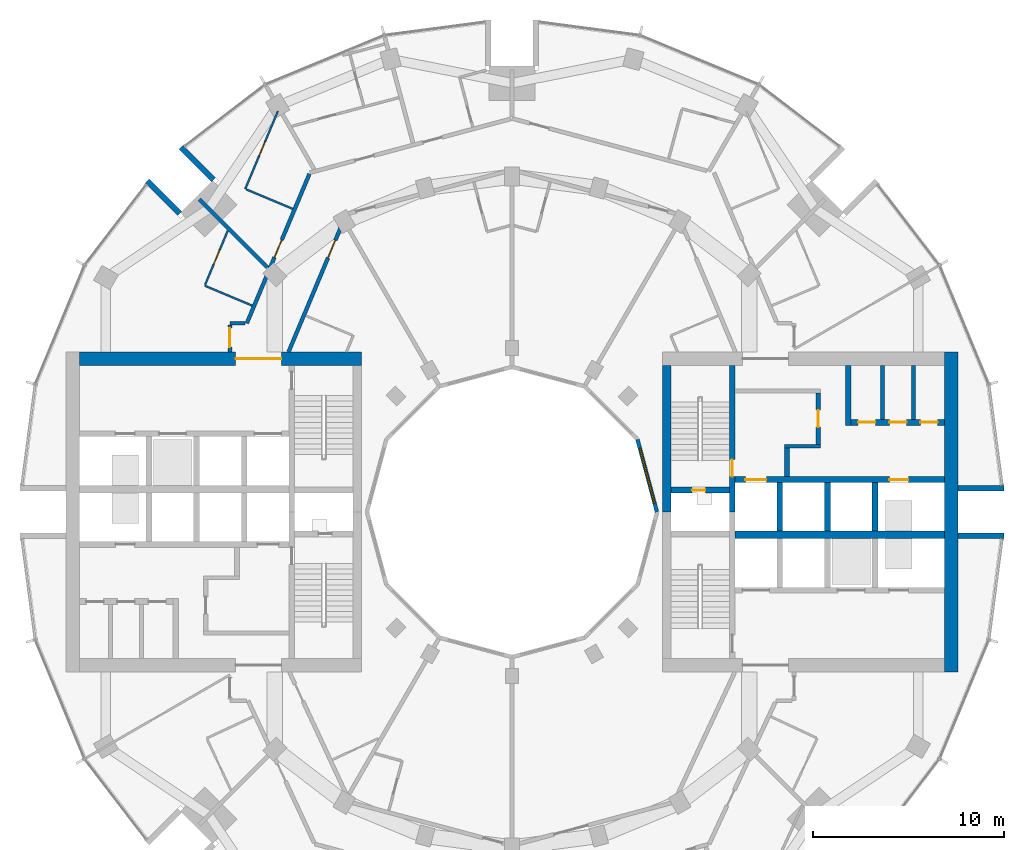
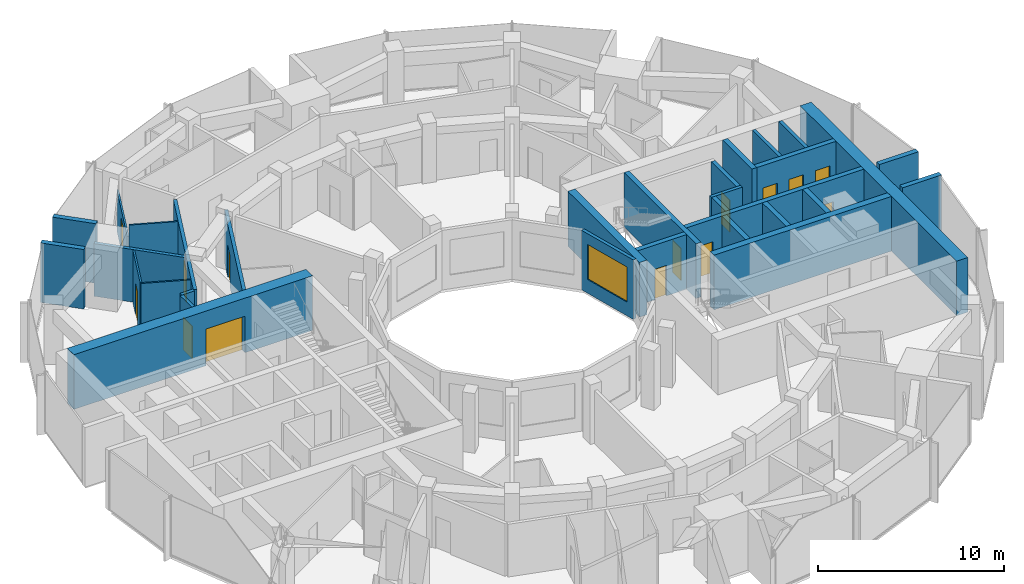
# One storey, part 11 of 15: 31 walls, 14 doors, 1 window, 15 openings.
"""IFC4 building model written with IfcOpenShell, lengths in metres."""

from ifc_helpers import new_model, si_unit, direction, frame, frame_2d, origin, place, context, subcontext, project, spatial, rectangle, extrude, material, layer, layer_set, type_object, element, fill, save


model = new_model("IFC4")

# Units and contexts
model_context = context("Model", 3, precision=1e-05, world=origin(), true_north=direction((0.0, 1.0)))
body_context = subcontext(model_context, "Body", "Model", "MODEL_VIEW")
ifc_project = project(units=[si_unit("LENGTHUNIT", "METRE"), si_unit("AREAUNIT", "SQUARE_METRE"), si_unit("VOLUMEUNIT", "CUBIC_METRE"), si_unit("PLANEANGLEUNIT", "RADIAN"), si_unit("MASSUNIT", "GRAM", prefix="KILO")], contexts=[model_context])

# Site, building, storey
site_placement = place(None, origin())
site = spatial("IfcSite", under=ifc_project, at=site_placement, CompositionType="ELEMENT")
building_placement = place(site_placement, origin())
building = spatial("IfcBuilding", under=site, at=building_placement, Name="Torre Brocal", CompositionType="ELEMENT")
storey_placement = place(building_placement, frame((0.0, 0.0, 130.199951171875)))
storey = spatial("IfcBuildingStorey", under=building, at=storey_placement, Name="L30", CompositionType="ELEMENT", Elevation=130.199951171875)

# Walls
ifc_material_1 = material(Name="Masonry block", Category="masonry")
ifc_layer_1 = layer(ifc_material_1, 0.199951171875)
ifc_layer_set_1 = layer_set([ifc_layer_1], Name="Masonry block")
wall_type_1 = type_object("IfcWallType", Name="CORE PARTITION 200", PredefinedType="PARTITIONING", material=ifc_layer_set_1)
for number, where, z_axis, x_axis, name in (
    (1, (99.433349609375, 79.85009765625, 0.0), (0.0, 0.0, 1.0), (0.0, 1.0, 0.0), "Wall CP200"),
    (2, (101.066650390625, 79.85009765625, 0.0), (0.0, 0.0, 1.0), (0.0, 1.0, 0.0), "Wall CP200"),
):
    element("IfcWall", number, at=place(storey_placement, frame(where, z_axis=z_axis, x_axis=x_axis)), inside=storey, type_object=wall_type_1, Name=name, PredefinedType="PARTITIONING", context=body_context, shape_type="SweptSolid", body=[
        extrude(rectangle(XDim=2.849853515625, YDim=0.199951171875, at=frame_2d((1.4248046875, 0.0))), origin(), (0.0, 0.0, 1.0), 3.580078125),
    ])
ifc_material_2 = material(Name="Concrete C70", Category="concrete")
ifc_layer_2 = layer(ifc_material_2, 0.199951171875)
ifc_layer_set_2 = layer_set([ifc_layer_2], Name="Concrete C70")
wall_type_2 = type_object("IfcWallType", Name="CORE WALL 200 C70", PredefinedType="SHEAR", material=ifc_layer_set_2)
wall_1_placement = place(storey_placement, frame((94.300048828125, 78.449951171875, 0.0), z_axis=(0.0, 0.0, 1.0), x_axis=(1.0, 0.0, 0.0)))
element("IfcWall", 3, at=wall_1_placement, inside=storey, type_object=wall_type_2, Name="Wall CW200-70", PredefinedType="SHEAR", context=body_context, shape_type="SweptSolid", body=[
    extrude(rectangle(XDim=1.89990234375, YDim=0.199951171875, at=frame_2d((0.949951171875, 0.0))), origin(), (0.0, 0.0, 1.0), 3.580078125),
])

# Wall, opening, door
ifc_material_3 = material(Name="Concrete C70", Category="concrete")
ifc_layer_3 = layer(ifc_material_3, 0.25)
ifc_layer_set_3 = layer_set([ifc_layer_3], Name="Concrete C70")
wall_type_3 = type_object("IfcWallType", Name="CORE WALL 250 C70", PredefinedType="SHEAR", material=ifc_layer_set_3)
wall_2_placement = place(storey_placement, frame((96.074951171875, 78.550048828125, 0.0), z_axis=(0.0, 0.0, 1.0), x_axis=(0.0, 1.0, 0.0)))
wall_2 = element("IfcWall", 4, at=wall_2_placement, inside=storey, type_object=wall_type_3, Name="Wall CW250-70", PredefinedType="SHEAR", context=body_context, shape_type="SweptSolid", body=[
    extrude(rectangle(XDim=2.699951171875, YDim=0.25, at=frame_2d((1.35009765625, 0.0))), origin(), (0.0, 0.0, 1.0), 3.580078125),
])
opening_1_placement = place(wall_2_placement, frame((0.89990234375, 0.0, 0.0)))
opening_1 = element("IfcOpeningElement", 5, at=opening_1_placement, cuts=wall_2, Name="Opening E-D15", PredefinedType="OPENING", context=body_context, shape_type="SweptSolid", body=[
    extrude(rectangle(XDim=0.89990234375, YDim=2.10009765625, at=frame_2d((0.449951171875, 1.050048828125))), frame((0.0, 0.135009765625, 0.0), z_axis=(0.0, -1.0, 0.0), x_axis=(1.0, 0.0, 0.0)), (0.0, 0.0, 1.0), 0.27001953125),
])
ifc_material_4 = material(Name="Steel A653", Category="steel")
door_type_1 = type_object("IfcDoorType", Name="LOBBY DOOR FD120 900X2100", OperationType="SINGLE_SWING_RIGHT", PredefinedType="DOOR", material=ifc_material_4)
door_1_placement = place(opening_1_placement, origin())
door_1 = element("IfcDoor", 6, at=door_1_placement, inside=storey, type_object=door_type_1, Name="Door E-D15", OperationType="SINGLE_SWING_LEFT", OverallHeight=2.10009765625, OverallWidth=0.89990234375, PredefinedType="DOOR", context=body_context, shape_type="SweptSolid", body=[
    extrude(rectangle(XDim=0.89990234375, YDim=2.10009765625, at=frame_2d((0.449951171875, 1.050048828125))), frame((0.0, 0.02490234375, 0.0), z_axis=(0.0, -1.0, 0.0), x_axis=(1.0, 0.0, 0.0)), (0.0, 0.0, 1.0), 0.050048828125),
])
fill(opening_1, door_1)

# Wall
wall_3_placement = place(storey_placement, frame((94.425048828125, 76.85009765625, 0.0), z_axis=(0.0, 0.0, 1.0), x_axis=(0.0, 1.0, 0.0)))
element("IfcWall", 7, at=wall_3_placement, inside=storey, type_object=wall_type_3, Name="Wall CW250-70", PredefinedType="SHEAR", context=body_context, shape_type="SweptSolid", body=[
    extrude(rectangle(XDim=1.5, YDim=0.25, at=frame_2d((0.75, 0.0))), origin(), (0.0, 0.0, 1.0), 3.580078125),
])

# Wall, opening, door
ifc_material_5 = material(Name="Concrete C70", Category="concrete")
ifc_layer_4 = layer(ifc_material_5, 0.300048828125)
ifc_layer_set_4 = layer_set([ifc_layer_4], Name="Concrete C70")
wall_type_4 = type_object("IfcWallType", Name="CORE WALL 300 C70", PredefinedType="SHEAR", material=ifc_layer_set_4)
wall_4_placement = place(storey_placement, frame((91.550048828125, 75.0, 0.0), z_axis=(0.0, 0.0, 1.0), x_axis=(0.0, 1.0, 0.0)))
wall_4 = element("IfcWall", 8, at=wall_4_placement, inside=storey, type_object=wall_type_4, Name="Wall CW300-70", PredefinedType="SHEAR", context=body_context, shape_type="SweptSolid", body=[
    extrude(rectangle(XDim=7.699951171875, YDim=0.300048828125, at=frame_2d((3.85009765625, 0.0))), origin(), (0.0, 0.0, 1.0), 3.580078125),
])
opening_2_placement = place(wall_4_placement, frame((1.85009765625, 0.0, 0.0)))
opening_2 = element("IfcOpeningElement", 9, at=opening_2_placement, cuts=wall_4, Name="Opening E-D02", PredefinedType="OPENING", context=body_context, shape_type="SweptSolid", body=[
    extrude(rectangle(XDim=0.89990234375, YDim=2.10009765625, at=frame_2d((0.449951171875, 1.050048828125))), frame((0.0, 0.159912109375, 0.0), z_axis=(0.0, -1.0, 0.0), x_axis=(1.0, 0.0, 0.0)), (0.0, 0.0, 1.0), 0.320068359375),
])
ifc_material_6 = material(Name="Steel A653", Category="steel")
door_type_2 = type_object("IfcDoorType", Name="STAIR DOOR FD120 900X2100", OperationType="SINGLE_SWING_RIGHT", PredefinedType="DOOR", material=ifc_material_6)
door_2_placement = place(opening_2_placement, origin())
door_2 = element("IfcDoor", 10, at=door_2_placement, inside=storey, type_object=door_type_2, Name="Door E-D02", OperationType="SINGLE_SWING_LEFT", OverallHeight=2.10009765625, OverallWidth=0.89990234375, PredefinedType="DOOR", context=body_context, shape_type="SweptSolid", body=[
    extrude(rectangle(XDim=0.89990234375, YDim=2.10009765625, at=frame_2d((0.449951171875, 1.050048828125))), frame((0.0, 0.02490234375, 0.0), z_axis=(0.0, -1.0, 0.0), x_axis=(1.0, 0.0, 0.0)), (0.0, 0.0, 1.0), 0.050048828125),
])
fill(opening_2, door_2)

wall_5_placement = place(storey_placement, frame((88.35009765625, 76.14990234375, 0.0), z_axis=(0.0, 0.0, 1.0), x_axis=(1.0, 0.0, 0.0)))
wall_5 = element("IfcWall", 11, at=wall_5_placement, inside=storey, type_object=wall_type_4, Name="Wall CW300-70", PredefinedType="SHEAR", context=body_context, shape_type="SweptSolid", body=[
    extrude(rectangle(XDim=3.0498046875, YDim=0.300048828125, at=frame_2d((1.52490234375, 0.0))), origin(), (0.0, 0.0, 1.0), 3.580078125),
])
opening_3_placement = place(wall_5_placement, frame((1.10009765625, 0.0, 0.0)))
opening_3 = element("IfcOpeningElement", 12, at=opening_3_placement, cuts=wall_5, Name="Opening E-D01", PredefinedType="OPENING", context=body_context, shape_type="SweptSolid", body=[
    extrude(rectangle(XDim=0.699951171875, YDim=2.0, at=frame_2d((0.35009765625, 1.0))), frame((0.0, 0.159912109375, 0.0), z_axis=(0.0, -1.0, 0.0), x_axis=(1.0, 0.0, 0.0)), (0.0, 0.0, 1.0), 0.320068359375),
])
ifc_material_7 = material(Name="Steel A653", Category="steel")
door_type_3 = type_object("IfcDoorType", Name="RISER DOOR FD120 700X2000", OperationType="SINGLE_SWING_LEFT", PredefinedType="DOOR", material=ifc_material_7)
door_3_placement = place(opening_3_placement, frame((0.699951171875, 0.0, 0.0), z_axis=(0.0, 0.0, 1.0), x_axis=(-1.0, 0.0, 0.0)))
door_3 = element("IfcDoor", 13, at=door_3_placement, inside=storey, type_object=door_type_3, Name="Door E-D01", OperationType="SINGLE_SWING_RIGHT", OverallHeight=2.0, OverallWidth=0.699951171875, PredefinedType="DOOR", context=body_context, shape_type="SweptSolid", body=[
    extrude(rectangle(XDim=0.699951171875, YDim=2.0, at=frame_2d((0.35009765625, 1.0))), frame((0.0, 0.02490234375, 0.0), z_axis=(0.0, -1.0, 0.0), x_axis=(1.0, 0.0, 0.0)), (0.0, 0.0, 1.0), 0.050048828125),
])
fill(opening_3, door_3)

# Wall, openings, doors
wall_6_placement = place(storey_placement, frame((91.699951171875, 76.699951171875, 0.0), z_axis=(0.0, 0.0, 1.0), x_axis=(1.0, 0.0, 0.0)))
wall_6 = element("IfcWall", 14, at=wall_6_placement, inside=storey, type_object=wall_type_4, Name="Wall CW300-70", PredefinedType="SHEAR", context=body_context, shape_type="SweptSolid", body=[
    extrude(rectangle(XDim=11.0, YDim=0.300048828125, at=frame_2d((5.5, 0.0))), origin(), (0.0, 0.0, 1.0), 3.580078125),
])
opening_4_placement = place(wall_6_placement, frame((0.550048828125, 0.0, 0.0)))
opening_4 = element("IfcOpeningElement", 15, at=opening_4_placement, cuts=wall_6, Name="Opening LD", PredefinedType="OPENING", context=body_context, shape_type="SweptSolid", body=[
    extrude(rectangle(XDim=1.10009765625, YDim=2.10009765625, at=frame_2d((0.550048828125, 1.050048828125))), frame((0.0, 0.159912109375, 0.0), z_axis=(0.0, -1.0, 0.0), x_axis=(1.0, 0.0, 0.0)), (0.0, 0.0, 1.0), 0.320068359375),
])
opening_5_placement = place(wall_6_placement, frame((8.10009765625, 0.0, 0.0)))
opening_5 = element("IfcOpeningElement", 16, at=opening_5_placement, cuts=wall_6, Name="Opening LD10", PredefinedType="OPENING", context=body_context, shape_type="SweptSolid", body=[
    extrude(rectangle(XDim=1.0, YDim=2.10009765625, at=frame_2d((0.5, 1.050048828125))), frame((0.0, 0.159912109375, 0.0), z_axis=(0.0, -1.0, 0.0), x_axis=(1.0, 0.0, 0.0)), (0.0, 0.0, 1.0), 0.320068359375),
])
ifc_material_8 = material(Name="Stainless steel AISI 316", Category="steel")
door_type_4 = type_object("IfcDoorType", Name="LIFT LANDING DOOR 1000X2100", OperationType="DOUBLE_DOOR_SLIDING", PredefinedType="DOOR", material=ifc_material_8)
door_4_placement = place(opening_5_placement, origin())
door_4 = element("IfcDoor", 17, at=door_4_placement, inside=storey, type_object=door_type_4, Name="Door LD10", OperationType="DOUBLE_DOOR_SLIDING", OverallHeight=2.10009765625, OverallWidth=1.0, PredefinedType="DOOR", context=body_context, shape_type="SweptSolid", body=[
    extrude(rectangle(XDim=1.0, YDim=2.10009765625, at=frame_2d((0.5, 1.050048828125))), frame((0.0, 0.02490234375, 0.0), z_axis=(0.0, -1.0, 0.0), x_axis=(1.0, 0.0, 0.0)), (0.0, 0.0, 1.0), 0.050048828125),
])
fill(opening_5, door_4)
ifc_material_9 = material(Name="Stainless steel AISI 316", Category="steel")
door_type_5 = type_object("IfcDoorType", Name="LIFT LANDING DOOR 1100X2100", OperationType="DOUBLE_DOOR_SLIDING", PredefinedType="DOOR", material=ifc_material_9)
door_5_placement = place(opening_4_placement, origin())
door_5 = element("IfcDoor", 18, at=door_5_placement, inside=storey, type_object=door_type_5, Name="Door LD", OperationType="DOUBLE_DOOR_SLIDING", OverallHeight=2.10009765625, OverallWidth=1.10009765625, PredefinedType="DOOR", context=body_context, shape_type="SweptSolid", body=[
    extrude(rectangle(XDim=1.10009765625, YDim=2.10009765625, at=frame_2d((0.550048828125, 1.050048828125))), frame((0.0, 0.02490234375, 0.0), z_axis=(0.0, -1.0, 0.0), x_axis=(1.0, 0.0, 0.0)), (0.0, 0.0, 1.0), 0.050048828125),
])
fill(opening_4, door_5)

# Walls
for number, where, z_axis, x_axis, name in (
    (19, (94.050048828125, 74.0, 0.0), (0.0, 0.0, 1.0), (0.0, 1.0, 0.0), "Wall CW300-70"),
    (20, (96.550048828125, 74.0, 0.0), (0.0, 0.0, 1.0), (0.0, 1.0, 0.0), "Wall CW300-70"),
    (21, (99.050048828125, 74.0, 0.0), (0.0, 0.0, 1.0), (0.0, 1.0, 0.0), "Wall CW300-70"),
):
    element("IfcWall", number, at=place(storey_placement, frame(where, z_axis=z_axis, x_axis=x_axis)), inside=storey, type_object=wall_type_4, Name=name, PredefinedType="SHEAR", context=body_context, shape_type="SweptSolid", body=[
        extrude(rectangle(XDim=2.550048828125, YDim=0.300048828125, at=frame_2d((1.27490234375, 0.0))), origin(), (0.0, 0.0, 1.0), 3.580078125),
    ])
wall_7_placement = place(storey_placement, frame((97.64990234375, 79.550048828125, 0.0), z_axis=(0.0, 0.0, 1.0), x_axis=(0.0, 1.0, 0.0)))
element("IfcWall", 22, at=wall_7_placement, inside=storey, type_object=wall_type_4, Name="Wall CW300-70", PredefinedType="SHEAR", context=body_context, shape_type="SweptSolid", body=[
    extrude(rectangle(XDim=3.14990234375, YDim=0.300048828125, at=frame_2d((1.574951171875, 0.0))), origin(), (0.0, 0.0, 1.0), 3.580078125),
])

# Wall, openings, doors
wall_8_placement = place(storey_placement, frame((97.800048828125, 79.699951171875, 0.0), z_axis=(0.0, 0.0, 1.0), x_axis=(1.0, 0.0, 0.0)))
wall_8 = element("IfcWall", 23, at=wall_8_placement, inside=storey, type_object=wall_type_4, Name="Wall CW300-70", PredefinedType="SHEAR", context=body_context, shape_type="SweptSolid", body=[
    extrude(rectangle(XDim=4.89990234375, YDim=0.300048828125, at=frame_2d((2.449951171875, 0.0))), origin(), (0.0, 0.0, 1.0), 3.580078125),
])
opening_6_placement = place(wall_8_placement, frame((0.36669921875, 0.0, 0.0)))
opening_6 = element("IfcOpeningElement", 24, at=opening_6_placement, cuts=wall_8, Name="Opening E-D05", PredefinedType="OPENING", context=body_context, shape_type="SweptSolid", body=[
    extrude(rectangle(XDim=0.89990234375, YDim=2.10009765625, at=frame_2d((0.449951171875, 1.050048828125))), frame((0.0, 0.159912109375, 0.0), z_axis=(0.0, -1.0, 0.0), x_axis=(1.0, 0.0, 0.0)), (0.0, 0.0, 1.0), 0.320068359375),
])
opening_7_placement = place(wall_8_placement, frame((2.0, 0.0, 0.0)))
opening_7 = element("IfcOpeningElement", 25, at=opening_7_placement, cuts=wall_8, Name="Opening E-D06", PredefinedType="OPENING", context=body_context, shape_type="SweptSolid", body=[
    extrude(rectangle(XDim=0.89990234375, YDim=2.10009765625, at=frame_2d((0.449951171875, 1.050048828125))), frame((0.0, 0.159912109375, 0.0), z_axis=(0.0, -1.0, 0.0), x_axis=(1.0, 0.0, 0.0)), (0.0, 0.0, 1.0), 0.320068359375),
])
opening_8_placement = place(wall_8_placement, frame((3.63330078125, 0.0, 0.0)))
opening_8 = element("IfcOpeningElement", 26, at=opening_8_placement, cuts=wall_8, Name="Opening E-D07", PredefinedType="OPENING", context=body_context, shape_type="SweptSolid", body=[
    extrude(rectangle(XDim=0.89990234375, YDim=2.10009765625, at=frame_2d((0.449951171875, 1.050048828125))), frame((0.0, 0.159912109375, 0.0), z_axis=(0.0, -1.0, 0.0), x_axis=(1.0, 0.0, 0.0)), (0.0, 0.0, 1.0), 0.320068359375),
])
ifc_material_10 = material(Name="Steel A653", Category="steel")
door_type_6 = type_object("IfcDoorType", Name="ROOM DOOR FD30S 900X2100", OperationType="SINGLE_SWING_LEFT", PredefinedType="DOOR", material=ifc_material_10)
door_6_placement = place(opening_6_placement, origin())
door_6 = element("IfcDoor", 27, at=door_6_placement, inside=storey, type_object=door_type_6, Name="Door E-D05", OperationType="SINGLE_SWING_RIGHT", OverallHeight=2.10009765625, OverallWidth=0.89990234375, PredefinedType="DOOR", context=body_context, shape_type="SweptSolid", body=[
    extrude(rectangle(XDim=0.89990234375, YDim=2.10009765625, at=frame_2d((0.449951171875, 1.050048828125))), frame((0.0, 0.02490234375, 0.0), z_axis=(0.0, -1.0, 0.0), x_axis=(1.0, 0.0, 0.0)), (0.0, 0.0, 1.0), 0.050048828125),
])
fill(opening_6, door_6)
door_7_placement = place(opening_7_placement, origin())
door_7 = element("IfcDoor", 28, at=door_7_placement, inside=storey, type_object=door_type_6, Name="Door E-D06", OperationType="SINGLE_SWING_LEFT", OverallHeight=2.10009765625, OverallWidth=0.89990234375, PredefinedType="DOOR", context=body_context, shape_type="SweptSolid", body=[
    extrude(rectangle(XDim=0.89990234375, YDim=2.10009765625, at=frame_2d((0.449951171875, 1.050048828125))), frame((0.0, 0.02490234375, 0.0), z_axis=(0.0, -1.0, 0.0), x_axis=(1.0, 0.0, 0.0)), (0.0, 0.0, 1.0), 0.050048828125),
])
fill(opening_7, door_7)
door_8_placement = place(opening_8_placement, origin())
door_8 = element("IfcDoor", 29, at=door_8_placement, inside=storey, type_object=door_type_6, Name="Door E-D07", OperationType="SINGLE_SWING_LEFT", OverallHeight=2.10009765625, OverallWidth=0.89990234375, PredefinedType="DOOR", context=body_context, shape_type="SweptSolid", body=[
    extrude(rectangle(XDim=0.89990234375, YDim=2.10009765625, at=frame_2d((0.449951171875, 1.050048828125))), frame((0.0, 0.02490234375, 0.0), z_axis=(0.0, -1.0, 0.0), x_axis=(1.0, 0.0, 0.0)), (0.0, 0.0, 1.0), 0.050048828125),
])
fill(opening_8, door_8)

# Walls
ifc_material_11 = material(Name="Concrete C70", Category="concrete")
ifc_layer_5 = layer(ifc_material_11, 0.39990234375)
ifc_layer_set_5 = layer_set([ifc_layer_5], Name="Concrete C70")
wall_type_5 = type_object("IfcWallType", Name="CORE WALL 400 C70", PredefinedType="SHEAR", material=ifc_layer_set_5)
wall_9_placement = place(storey_placement, frame((91.699951171875, 73.800048828125, 0.0), z_axis=(0.0, 0.0, 1.0), x_axis=(1.0, 0.0, 0.0)))
element("IfcWall", 30, at=wall_9_placement, inside=storey, type_object=wall_type_5, Name="Wall CW400-70", PredefinedType="SHEAR", context=body_context, shape_type="SweptSolid", body=[
    extrude(rectangle(XDim=11.0, YDim=0.39990234375, at=frame_2d((5.5, 0.0))), origin(), (0.0, 0.0, 1.0), 3.580078125),
])
ifc_material_12 = material(Name="Concrete C70", Category="concrete")
ifc_layer_6 = layer(ifc_material_12, 0.449951171875)
ifc_layer_set_6 = layer_set([ifc_layer_6], Name="Concrete C70")
wall_type_6 = type_object("IfcWallType", Name="CORE WALL 450 C70", PredefinedType="SHEAR", material=ifc_layer_set_6)
wall_10_placement = place(storey_placement, frame((88.125, 75.0, 0.0), z_axis=(0.0, 0.0, 1.0), x_axis=(0.0, 1.0, 0.0)))
element("IfcWall", 31, at=wall_10_placement, inside=storey, type_object=wall_type_6, Name="Wall CW450-70", PredefinedType="SHEAR", context=body_context, shape_type="SweptSolid", body=[
    extrude(rectangle(XDim=7.699951171875, YDim=0.449951171875, at=frame_2d((3.85009765625, 0.0))), origin(), (0.0, 0.0, 1.0), 3.580078125),
])
ifc_material_13 = material(Name="Concrete C70", Category="concrete")
ifc_layer_7 = layer(ifc_material_13, 0.699951171875)
ifc_layer_set_7 = layer_set([ifc_layer_7], Name="Concrete C70")
wall_type_7 = type_object("IfcWallType", Name="CORE WALL 700 C70", PredefinedType="SHEAR", material=ifc_layer_set_7)
wall_11_placement = place(storey_placement, frame((103.050048828125, 66.60009765625, 0.0), z_axis=(0.0, 0.0, 1.0), x_axis=(0.0, 1.0, 0.0)))
element("IfcWall", 32, at=wall_11_placement, inside=storey, type_object=wall_type_7, Name="Wall CW700-70", PredefinedType="SHEAR", context=body_context, shape_type="SweptSolid", body=[
    extrude(rectangle(XDim=16.7998046875, YDim=0.699951171875, at=frame_2d((8.39990234375, 0.0))), origin(), (0.0, 0.0, 1.0), 3.580078125),
])

# Wall, opening, door
wall_12_placement = place(storey_placement, frame((72.10009765625, 83.050048828125, 0.0), z_axis=(0.0, 0.0, 1.0), x_axis=(-1.0, 0.0, 0.0)))
wall_12 = element("IfcWall", 33, at=wall_12_placement, inside=storey, type_object=wall_type_7, Name="Wall CW700-70", PredefinedType="SHEAR", context=body_context, shape_type="SweptSolid", body=[
    extrude(rectangle(XDim=14.800048828125, YDim=0.699951171875, at=frame_2d((7.39990234375, 0.0))), origin(), (0.0, 0.0, 1.0), 3.580078125),
])
opening_9_placement = place(wall_12_placement, frame((4.199951171875, 0.0, 0.0)))
opening_9 = element("IfcOpeningElement", 34, at=opening_9_placement, cuts=wall_12, Name="Opening W-D30", PredefinedType="OPENING", context=body_context, shape_type="SweptSolid", body=[
    extrude(rectangle(XDim=2.39990234375, YDim=2.39990234375, at=frame_2d((1.199951171875, 1.199951171875))), frame((0.0, 0.35986328125, 0.0), z_axis=(0.0, -1.0, 0.0), x_axis=(1.0, 0.0, 0.0)), (0.0, 0.0, 1.0), 0.719970703125),
])
ifc_material_14 = material(Name="Steel A653", Category="steel")
door_type_7 = type_object("IfcDoorType", Name="DOUBLE FIRE DOOR FD90 2400X2400", OperationType="DOUBLE_DOOR_SINGLE_SWING", PredefinedType="DOOR", material=ifc_material_14)
door_9_placement = place(opening_9_placement, origin())
door_9 = element("IfcDoor", 35, at=door_9_placement, inside=storey, type_object=door_type_7, Name="Door W-D30", OperationType="DOUBLE_DOOR_SINGLE_SWING", OverallHeight=2.39990234375, OverallWidth=2.39990234375, PredefinedType="DOOR", context=body_context, shape_type="SweptSolid", body=[
    extrude(rectangle(XDim=2.39990234375, YDim=2.39990234375, at=frame_2d((1.199951171875, 1.199951171875))), frame((0.0, 0.02490234375, 0.0), z_axis=(0.0, -1.0, 0.0), x_axis=(1.0, 0.0, 0.0)), (0.0, 0.0, 1.0), 0.050048828125),
])
fill(opening_9, door_9)

# Walls
ifc_material_15 = material(Name="Concrete C70", Category="concrete")
ifc_layer_8 = layer(ifc_material_15, 0.300048828125)
ifc_layer_set_8 = layer_set([ifc_layer_8], Name="Concrete C70")
wall_type_8 = type_object("IfcWallType", Name="NOTCH RETURN WALL 300 C70", PredefinedType="NOTDEFINED", material=ifc_layer_set_8)
for number, where, z_axis, x_axis, name in (
    (36, (103.39990234375, 73.75, 0.0), (0.0, 0.0, 1.0), (1.0, 0.0, 0.0), "NOTCH RETURN WALL"),
    (37, (103.39990234375, 76.25, 0.0), (0.0, 0.0, 1.0), (1.0, 0.0, 0.0), "NOTCH RETURN WALL"),
    (38, (64.337646484375, 92.43017578125, 0.0), (0.0, 0.0, 1.0), (-0.707106781187, 0.707106781187, 0.0), "NOTCH RETURN WALL"),
    (39, (62.56982421875, 90.662353515625, 0.0), (0.0, 0.0, 1.0), (-0.707106781187, 0.707106781187, 0.0), "NOTCH RETURN WALL"),
):
    element("IfcWall", number, at=place(storey_placement, frame(where, z_axis=z_axis, x_axis=x_axis)), inside=storey, type_object=wall_type_8, Name=name, PredefinedType="NOTDEFINED", context=body_context, shape_type="SweptSolid", body=[
        extrude(rectangle(XDim=2.415771484375, YDim=0.300048828125, at=frame_2d((1.2080078125, 0.0))), origin(), (0.0, 0.0, 1.0), 3.900146484375),
    ])

# Wall, opening, door
ifc_material_16 = material(Name="Gypsum board", Category="Gypsum")
ifc_layer_9 = layer(ifc_material_16, 0.10009765625)
ifc_layer_set_9 = layer_set([ifc_layer_9], Name="Gypsum board")
wall_type_9 = type_object("IfcWallType", Name="PARTITION 100", PredefinedType="PARTITIONING", material=ifc_layer_set_9)
wall_13_placement = place(storey_placement, frame((63.8955078125, 86.92041015625, 0.0), z_axis=(0.0, 0.0, 1.0), x_axis=(0.386637413037, 0.922231809709, 0.0)))
wall_13 = element("IfcWall", 40, at=wall_13_placement, inside=storey, type_object=wall_type_9, Name="BATHROOM WALL", PredefinedType="PARTITIONING", context=body_context, shape_type="SweptSolid", body=[
    extrude(rectangle(XDim=3.076416015625, YDim=0.10009765625, at=frame_2d((1.5380859375, 0.0))), origin(), (0.0, 0.0, 1.0), 3.449951171875),
])
opening_10_placement = place(wall_13_placement, frame((1.173095703125, 0.0, 0.0)))
opening_10 = element("IfcOpeningElement", 41, at=opening_10_placement, cuts=wall_13, Name="Opening E02-D16", PredefinedType="OPENING", context=body_context, shape_type="SweptSolid", body=[
    extrude(rectangle(XDim=0.800048828125, YDim=2.10009765625, at=frame_2d((0.39990234375, 1.050048828125))), frame((0.0, 0.06005859375, 0.0), z_axis=(0.0, -1.0, 0.0), x_axis=(1.0, 0.0, 0.0)), (0.0, 0.0, 1.0), 0.1201171875),
])
ifc_material_17 = material(Name="Timber", Category="wood")
door_type_8 = type_object("IfcDoorType", Name="BATHROOM DOOR 800X2100", OperationType="SINGLE_SWING_LEFT", PredefinedType="DOOR", material=ifc_material_17)
door_10_placement = place(opening_10_placement, frame((0.800048828125, 0.0, 0.0), z_axis=(0.0, 0.0, 1.0), x_axis=(-1.0, 0.0, 0.0)))
door_10 = element("IfcDoor", 42, at=door_10_placement, inside=storey, type_object=door_type_8, Name="E02-D16", OperationType="SINGLE_SWING_LEFT", OverallHeight=2.10009765625, OverallWidth=0.800048828125, PredefinedType="DOOR", context=body_context, shape_type="SweptSolid", body=[
    extrude(rectangle(XDim=0.800048828125, YDim=2.10009765625, at=frame_2d((0.39990234375, 1.050048828125))), frame((0.0, 0.02490234375, 0.0), z_axis=(0.0, -1.0, 0.0), x_axis=(1.0, 0.0, 0.0)), (0.0, 0.0, 1.0), 0.050048828125),
])
fill(opening_10, door_10)

# Walls
wall_14_placement = place(storey_placement, frame((63.876953125, 86.8740234375, 0.0), z_axis=(0.0, 0.0, 1.0), x_axis=(0.92214860299, -0.386835823062, 0.0)))
element("IfcWall", 43, at=wall_14_placement, inside=storey, type_object=wall_type_9, Name="BATHROOM WALL", PredefinedType="PARTITIONING", context=body_context, shape_type="SweptSolid", body=[
    extrude(rectangle(XDim=2.699951171875, YDim=0.10009765625, at=frame_2d((1.35009765625, 0.0))), origin(), (0.0, 0.0, 1.0), 3.449951171875),
])
wall_15_placement = place(storey_placement, frame((66.049072265625, 91.9306640625, 0.0), z_axis=(0.0, 0.0, 1.0), x_axis=(0.922344808264, -0.38636777126, 0.0)))
element("IfcWall", 44, at=wall_15_placement, inside=storey, type_object=wall_type_9, Name="BATHROOM WALL", PredefinedType="PARTITIONING", context=body_context, shape_type="SweptSolid", body=[
    extrude(rectangle(XDim=2.650146484375, YDim=0.10009765625, at=frame_2d((1.3251953125, 0.0))), origin(), (0.0, 0.0, 1.0), 3.449951171875),
])

# Wall, opening, door
ifc_material_18 = material(Name="Gypsum board", Category="Gypsum")
ifc_layer_10 = layer(ifc_material_18, 0.10009765625)
ifc_layer_set_10 = layer_set([ifc_layer_10], Name="Gypsum board")
wall_type_10 = type_object("IfcWallType", Name="PARTITION 100 UNDER BEAM 1220", PredefinedType="PARTITIONING", material=ifc_layer_set_10)
wall_16_placement = place(storey_placement, frame((66.003662109375, 91.94970703125, 0.0), z_axis=(0.0, 0.0, 1.0), x_axis=(0.386601257709, 0.922246966673, 0.0)))
wall_16 = element("IfcWall", 45, at=wall_16_placement, inside=storey, type_object=wall_type_10, Name="BATHROOM WALL", PredefinedType="PARTITIONING", context=body_context, shape_type="SweptSolid", body=[
    extrude(rectangle(XDim=4.4326171875, YDim=0.10009765625, at=frame_2d((2.21630859375, 0.0))), origin(), (0.0, 0.0, 1.0), 2.679931640625),
])
opening_11_placement = place(wall_16_placement, frame((1.891357421875, 0.0, 0.0)))
opening_11 = element("IfcOpeningElement", 46, at=opening_11_placement, cuts=wall_16, Name="Opening E02-D14", PredefinedType="OPENING", context=body_context, shape_type="SweptSolid", body=[
    extrude(rectangle(XDim=0.800048828125, YDim=2.10009765625, at=frame_2d((0.39990234375, 1.050048828125))), frame((0.0, 0.06005859375, 0.0), z_axis=(0.0, -1.0, 0.0), x_axis=(1.0, 0.0, 0.0)), (0.0, 0.0, 1.0), 0.1201171875),
])
door_11_placement = place(opening_11_placement, frame((0.800048828125, 0.0, 0.0), z_axis=(0.0, 0.0, 1.0), x_axis=(-1.0, 0.0, 0.0)))
door_11 = element("IfcDoor", 47, at=door_11_placement, inside=storey, type_object=door_type_8, Name="E02-D14", OperationType="SINGLE_SWING_LEFT", OverallHeight=2.10009765625, OverallWidth=0.800048828125, PredefinedType="DOOR", context=body_context, shape_type="SweptSolid", body=[
    extrude(rectangle(XDim=0.800048828125, YDim=2.10009765625, at=frame_2d((0.39990234375, 1.050048828125))), frame((0.0, 0.02490234375, 0.0), z_axis=(0.0, -1.0, 0.0), x_axis=(1.0, 0.0, 0.0)), (0.0, 0.0, 1.0), 0.050048828125),
])
fill(opening_11, door_11)

# Wall
ifc_material_19 = material(Name="Gypsum board", Category="Gypsum")
ifc_layer_11 = layer(ifc_material_19, 0.199951171875)
ifc_layer_set_11 = layer_set([ifc_layer_11], Name="Gypsum board")
wall_type_11 = type_object("IfcWallType", Name="PARTITION 200 EI60", PredefinedType="PARTITIONING", material=ifc_layer_set_11)
wall_17_placement = place(storey_placement, frame((63.599609375, 91.4091796875, 0.0), z_axis=(0.0, 0.0, 1.0), x_axis=(0.706937509868, -0.707276011993, 0.0)))
element("IfcWall", 48, at=wall_17_placement, inside=storey, type_object=wall_type_11, Name="BATHROOM WALL", PredefinedType="PARTITIONING", context=body_context, shape_type="SweptSolid", body=[
    extrude(rectangle(XDim=5.048583984375, YDim=0.199951171875, at=frame_2d((2.5244140625, 0.0))), origin(), (0.0, 0.0, 1.0), 3.449951171875),
])

# Wall, opening, door
wall_18_placement = place(storey_placement, frame((65.199951171875, 83.40087890625, 0.0), z_axis=(0.0, 0.0, 1.0), x_axis=(0.0, 1.0, 0.0)))
wall_18 = element("IfcWall", 49, at=wall_18_placement, inside=storey, type_object=wall_type_11, Name="GUESTROOM CORRIDOR WALL", PredefinedType="PARTITIONING", context=body_context, shape_type="SweptSolid", body=[
    extrude(rectangle(XDim=1.399169921875, YDim=0.199951171875, at=frame_2d((0.69970703125, 0.0))), origin(), (0.0, 0.0, 1.0), 3.449951171875),
])
opening_12_placement = place(wall_18_placement, frame((0.2490234375, 0.0, 0.0)))
opening_12 = element("IfcOpeningElement", 50, at=opening_12_placement, cuts=wall_18, Name="Opening E02-D15", PredefinedType="OPENING", context=body_context, shape_type="SweptSolid", body=[
    extrude(rectangle(XDim=1.0, YDim=2.10009765625, at=frame_2d((0.5, 1.050048828125))), frame((0.0, 0.10986328125, 0.0), z_axis=(0.0, -1.0, 0.0), x_axis=(1.0, 0.0, 0.0)), (0.0, 0.0, 1.0), 0.219970703125),
])
ifc_material_20 = material(Name="Timber", Category="wood")
door_type_9 = type_object("IfcDoorType", Name="FLAT ENTRY DOOR FD30S 1000X2100", OperationType="SINGLE_SWING_RIGHT", PredefinedType="DOOR", material=ifc_material_20)
door_12_placement = place(opening_12_placement, origin())
door_12 = element("IfcDoor", 51, at=door_12_placement, inside=storey, type_object=door_type_9, Name="E02-D15", OperationType="SINGLE_SWING_LEFT", OverallHeight=2.10009765625, OverallWidth=1.0, PredefinedType="DOOR", context=body_context, shape_type="SweptSolid", body=[
    extrude(rectangle(XDim=1.0, YDim=2.10009765625, at=frame_2d((0.5, 1.050048828125))), frame((0.0, 0.02490234375, 0.0), z_axis=(0.0, -1.0, 0.0), x_axis=(1.0, 0.0, 0.0)), (0.0, 0.0, 1.0), 0.050048828125),
])
fill(opening_12, door_12)

# Wall
wall_19_placement = place(storey_placement, frame((65.199951171875, 84.89990234375, 0.0), z_axis=(0.0, 0.0, 1.0), x_axis=(1.0, 0.0, 0.0)))
element("IfcWall", 52, at=wall_19_placement, inside=storey, type_object=wall_type_11, Name="GUESTROOM CORRIDOR WALL", PredefinedType="PARTITIONING", context=body_context, shape_type="SweptSolid", body=[
    extrude(rectangle(XDim=0.795166015625, YDim=0.199951171875, at=frame_2d((0.3974609375, 0.0))), origin(), (0.0, 0.0, 1.0), 3.449951171875),
])

# Wall, opening, door
wall_20_placement = place(storey_placement, frame((66.085205078125, 84.900390625, 0.0), z_axis=(0.0, 0.0, 1.0), x_axis=(0.386617151403, 0.922240303956, 0.0)))
wall_20 = element("IfcWall", 53, at=wall_20_placement, inside=storey, type_object=wall_type_11, Name="GUESTROOM CORRIDOR WALL", PredefinedType="PARTITIONING", context=body_context, shape_type="SweptSolid", body=[
    extrude(rectangle(XDim=8.500244140625, YDim=0.199951171875, at=frame_2d((4.25, 0.0))), origin(), (0.0, 0.0, 1.0), 3.449951171875),
])
opening_13_placement = place(wall_20_placement, frame((3.74755859375, 0.0, 0.0)))
opening_13 = element("IfcOpeningElement", 54, at=opening_13_placement, cuts=wall_20, Name="Opening E02-D13", PredefinedType="OPENING", context=body_context, shape_type="SweptSolid", body=[
    extrude(rectangle(XDim=1.0, YDim=2.10009765625, at=frame_2d((0.5, 1.050048828125))), frame((0.0, 0.10986328125, 0.0), z_axis=(0.0, -1.0, 0.0), x_axis=(1.0, 0.0, 0.0)), (0.0, 0.0, 1.0), 0.219970703125),
])
door_13_placement = place(opening_13_placement, origin())
door_13 = element("IfcDoor", 55, at=door_13_placement, inside=storey, type_object=door_type_9, Name="E02-D13", OperationType="SINGLE_SWING_LEFT", OverallHeight=2.10009765625, OverallWidth=1.0, PredefinedType="DOOR", context=body_context, shape_type="SweptSolid", body=[
    extrude(rectangle(XDim=1.0, YDim=2.10009765625, at=frame_2d((0.5, 1.050048828125))), frame((0.0, 0.02490234375, 0.0), z_axis=(0.0, -1.0, 0.0), x_axis=(1.0, 0.0, 0.0)), (0.0, 0.0, 1.0), 0.050048828125),
])
fill(opening_13, door_13)

wall_21_placement = place(storey_placement, frame((68.276611328125, 83.400146484375, 0.0), z_axis=(0.0, 0.0, 1.0), x_axis=(0.386454861164, 0.922308321703, 0.0)))
wall_21 = element("IfcWall", 56, at=wall_21_placement, inside=storey, type_object=wall_type_11, Name="GUESTROOM CORRIDOR WALL", PredefinedType="PARTITIONING", context=body_context, shape_type="SweptSolid", body=[
    extrude(rectangle(XDim=7.76220703125, YDim=0.199951171875, at=frame_2d((3.881103515625, 0.0))), origin(), (0.0, 0.0, 1.0), 3.449951171875),
])
opening_14_placement = place(wall_21_placement, frame((5.3505859375, 0.0, 0.0)))
opening_14 = element("IfcOpeningElement", 57, at=opening_14_placement, cuts=wall_21, Name="Opening E02-D23", PredefinedType="OPENING", context=body_context, shape_type="SweptSolid", body=[
    extrude(rectangle(XDim=1.0, YDim=2.10009765625, at=frame_2d((0.5, 1.050048828125))), frame((0.0, 0.10986328125, 0.0), z_axis=(0.0, -1.0, 0.0), x_axis=(1.0, 0.0, 0.0)), (0.0, 0.0, 1.0), 0.219970703125),
])
door_14_placement = place(opening_14_placement, frame((1.0, 0.0, 0.0), z_axis=(0.0, 0.0, 1.0), x_axis=(-1.0, 0.0, 0.0)))
door_14 = element("IfcDoor", 58, at=door_14_placement, inside=storey, type_object=door_type_9, Name="E02-D23", OperationType="SINGLE_SWING_LEFT", OverallHeight=2.10009765625, OverallWidth=1.0, PredefinedType="DOOR", context=body_context, shape_type="SweptSolid", body=[
    extrude(rectangle(XDim=1.0, YDim=2.10009765625, at=frame_2d((0.5, 1.050048828125))), frame((0.0, 0.02490234375, 0.0), z_axis=(0.0, -1.0, 0.0), x_axis=(1.0, 0.0, 0.0)), (0.0, 0.0, 1.0), 0.050048828125),
])
fill(opening_14, door_14)

# Wall, opening, window
ifc_material_21 = material(Name="Concrete C40", Category="concrete")
ifc_layer_12 = layer(ifc_material_21, 0.199951171875)
ifc_layer_set_12 = layer_set([ifc_layer_12], Name="Concrete C40")
wall_type_12 = type_object("IfcWallType", Name="WELL FACADE WALL 200", PredefinedType="NOTDEFINED", material=ifc_layer_set_12)
wall_22_placement = place(storey_placement, frame((87.603515625, 75.0, 0.0), z_axis=(0.0, 0.0, 1.0), x_axis=(-0.258789828301, 0.965933654434, 0.0)))
wall_22 = element("IfcWall", 59, at=wall_22_placement, inside=storey, type_object=wall_type_12, Name="WELL FACADE WALL", PredefinedType="NOTDEFINED", context=body_context, shape_type="SweptSolid", body=[
    extrude(rectangle(XDim=3.935791015625, YDim=0.199951171875, at=frame_2d((1.9677734375, 0.0))), origin(), (0.0, 0.0, 1.0), 3.900146484375),
])
opening_15_placement = place(wall_22_placement, frame((0.468017578125, 0.0, 0.89990234375)))
opening_15 = element("IfcOpeningElement", 60, at=opening_15_placement, cuts=wall_22, Name="Opening W1", PredefinedType="OPENING", context=body_context, shape_type="SweptSolid", body=[
    extrude(rectangle(XDim=3.0, YDim=2.300048828125, at=frame_2d((1.5, 1.14990234375))), frame((0.0, 0.10986328125, 0.0), z_axis=(0.0, -1.0, 0.0), x_axis=(1.0, 0.0, 0.0)), (0.0, 0.0, 1.0), 0.219970703125),
])
ifc_material_22 = material(Name="Aluminium and glass", Category="aluminium")
window_type = type_object("IfcWindowType", Name="WELL WINDOW 3000X2300", PartitioningType="SINGLE_PANEL", PredefinedType="WINDOW", material=ifc_material_22)
window_placement = place(opening_15_placement, origin())
window = element("IfcWindow", 61, at=window_placement, inside=storey, type_object=window_type, Name="WELL WINDOW 3000X2300", OverallHeight=2.300048828125, OverallWidth=3.0, PartitioningType="SINGLE_PANEL", PredefinedType="WINDOW", context=body_context, shape_type="SweptSolid", body=[
    extrude(rectangle(XDim=3.0, YDim=2.300048828125, at=frame_2d((1.5, 1.14990234375))), frame((0.0, 0.030029296875, 0.0), z_axis=(0.0, -1.0, 0.0), x_axis=(1.0, 0.0, 0.0)), (0.0, 0.0, 1.0), 0.06005859375),
])
fill(opening_15, window)

save(model, "model.ifc")
